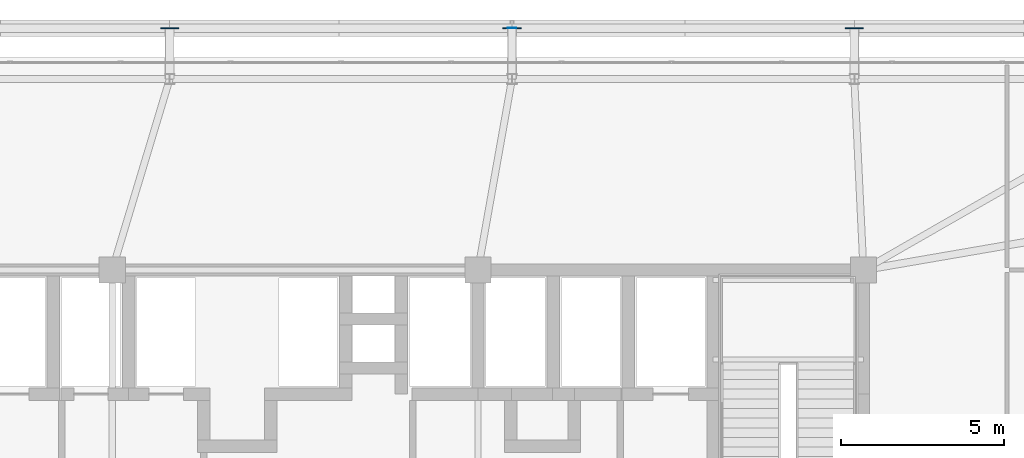
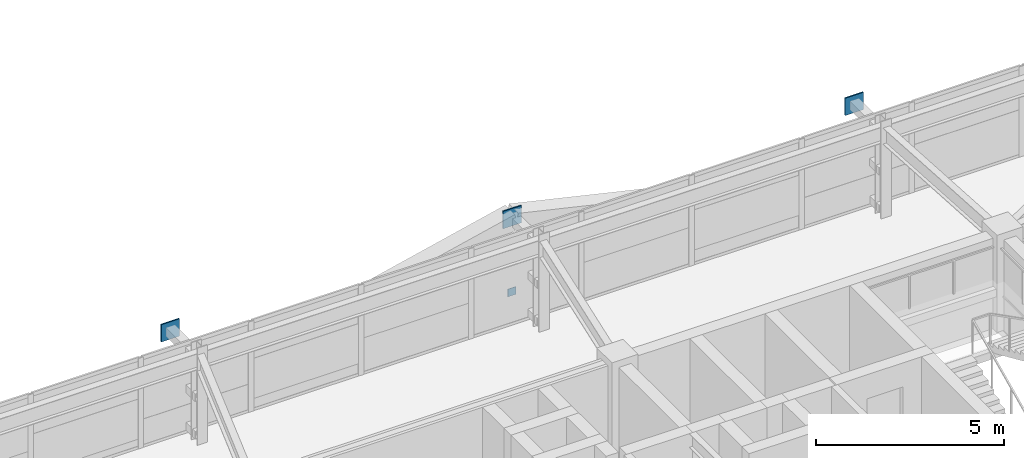
# One storey, part 50 of 58: 4 plates.
"""IFC4 building model written with IfcOpenShell, lengths in metres."""

from ifc_helpers import new_model, si_unit, direction, frame, origin, origin_2d, place, context, subcontext, project, spatial, rectangle, extrude, source, transform, mapped, material, layer, layer_set, type_object, element, save


model = new_model("IFC4")

# Units and contexts
model_context = context("Model", 3, precision=1e-05, world=origin(), true_north=direction((0.0, 1.0)))
body_context = subcontext(model_context, "Body", "Model", "MODEL_VIEW")
ifc_project = project(units=[si_unit("LENGTHUNIT", "METRE"), si_unit("AREAUNIT", "SQUARE_METRE"), si_unit("VOLUMEUNIT", "CUBIC_METRE"), si_unit("PLANEANGLEUNIT", "RADIAN"), si_unit("MASSUNIT", "GRAM", prefix="KILO")], contexts=[model_context])

# Site, building, storey
site_placement = place(None, origin())
site = spatial("IfcSite", under=ifc_project, at=site_placement, CompositionType="ELEMENT")
building_placement = place(site_placement, origin())
building = spatial("IfcBuilding", under=site, at=building_placement, Name="Taldren Reach Tower", CompositionType="ELEMENT")
storey_placement = place(building_placement, frame((0.0, 0.0, 54.60009765625)))
storey = spatial("IfcBuildingStorey", under=building, at=storey_placement, Name="L16", CompositionType="ELEMENT", Elevation=54.60009765625)

# Plates
ifc_material_1 = material(Name="Steel Gr 450 (C450L0)", Category="steel")
ifc_layer_1 = layer(ifc_material_1, 0.0400390625)
ifc_layer_set_1 = layer_set([ifc_layer_1], Name="Steel Gr 450 (C450L0)")
plate_type_1 = type_object("IfcPlateType", Name="PL-GUSSET-40", PredefinedType="SHEET", material=ifc_layer_set_1)
shared_shape_1 = source(origin(), body_context, "Body", "SweptSolid", [
    extrude(rectangle(XDim=0.56005859375, YDim=0.0400390625, at=origin_2d()), origin(), (0.0, 0.0, 1.0), 0.56005859375),
])
for number, where, z_axis, x_axis, name in (
    (1, (29.760009765625, 39.39990234375, 2.369873046875), (0.0, 0.0, 1.0), (1.0, 0.0, 0.0), "Exoskeleton star-node gusset plate B1-N3 L16"),
    (2, (40.239990234375, 39.39990234375, 2.369873046875), (0.0, 0.0, 1.0), (1.0, 0.0, 0.0), "Exoskeleton star-node gusset plate B1-N4 L16"),
    (3, (50.719970703125, 39.39990234375, 2.369873046875), (0.0, 0.0, 1.0), (1.0, 0.0, 0.0), "Exoskeleton star-node gusset plate B1-N5 L16"),
):
    element("IfcPlate", number, at=place(storey_placement, frame(where, z_axis=z_axis, x_axis=x_axis)), inside=storey, type_object=plate_type_1, Name=name, PredefinedType="SHEET", context=body_context, shape_type="MappedRepresentation", body=[
        mapped(shared_shape_1, transform((0.0, 0.0, 0.0), scale=1.0)),
    ])
ifc_material_2 = material(Name="Steel Gr 350 (C350L0)", Category="steel")
ifc_layer_2 = layer(ifc_material_2, 0.011962890625)
ifc_layer_set_2 = layer_set([ifc_layer_2], Name="Steel Gr 350 (C350L0)")
plate_type_2 = type_object("IfcPlateType", Name="PL-CAP-250", PredefinedType="SHEET", material=ifc_layer_set_2)
shared_shape_2 = source(origin(), body_context, "Body", "SweptSolid", [
    extrude(rectangle(XDim=0.25, YDim=0.011962890625, at=origin_2d()), origin(), (0.0, 0.0, 1.0), 0.25),
])
plate_placement = place(storey_placement, frame((40.239990234375, 39.406005859375, 0.094970703125), z_axis=(0.0, 0.0, 1.0), x_axis=(1.0, 0.0, 0.0)))
element("IfcPlate", 4, at=plate_placement, inside=storey, type_object=plate_type_2, Name="Tie strut end cap plate B1-N4 L16", PredefinedType="SHEET", context=body_context, shape_type="MappedRepresentation", body=[
    mapped(shared_shape_2, transform((0.0, 0.0, 0.0), scale=1.0)),
])

save(model, "model.ifc")
